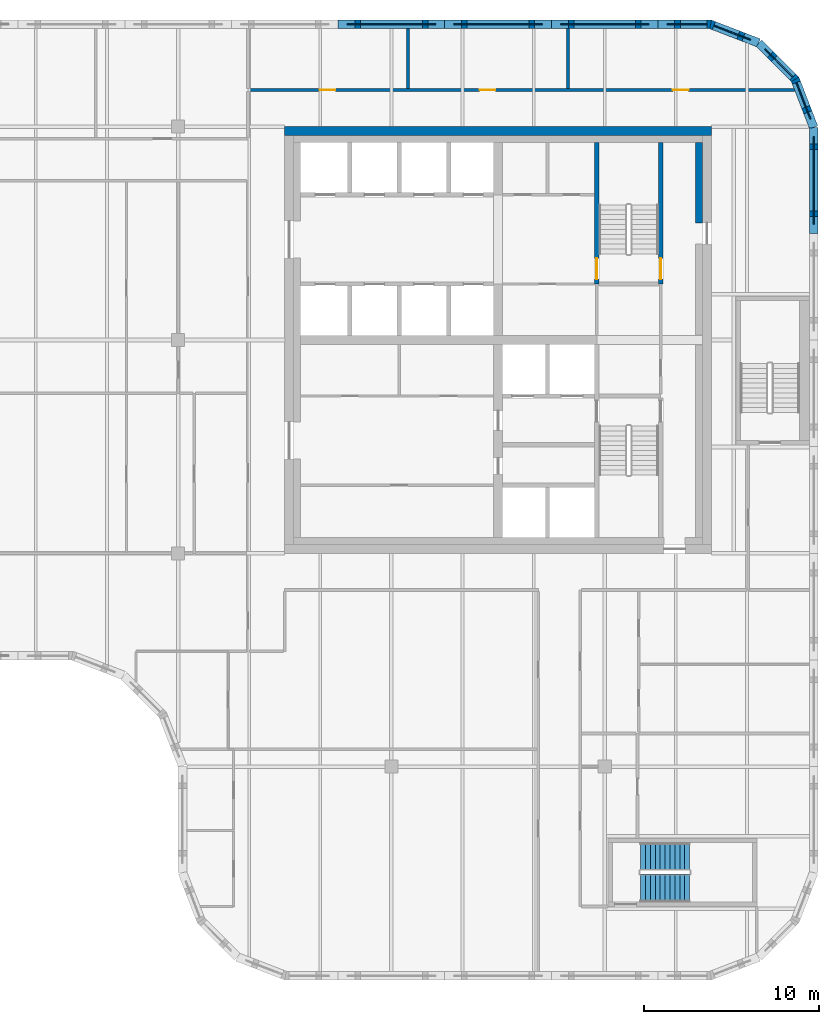
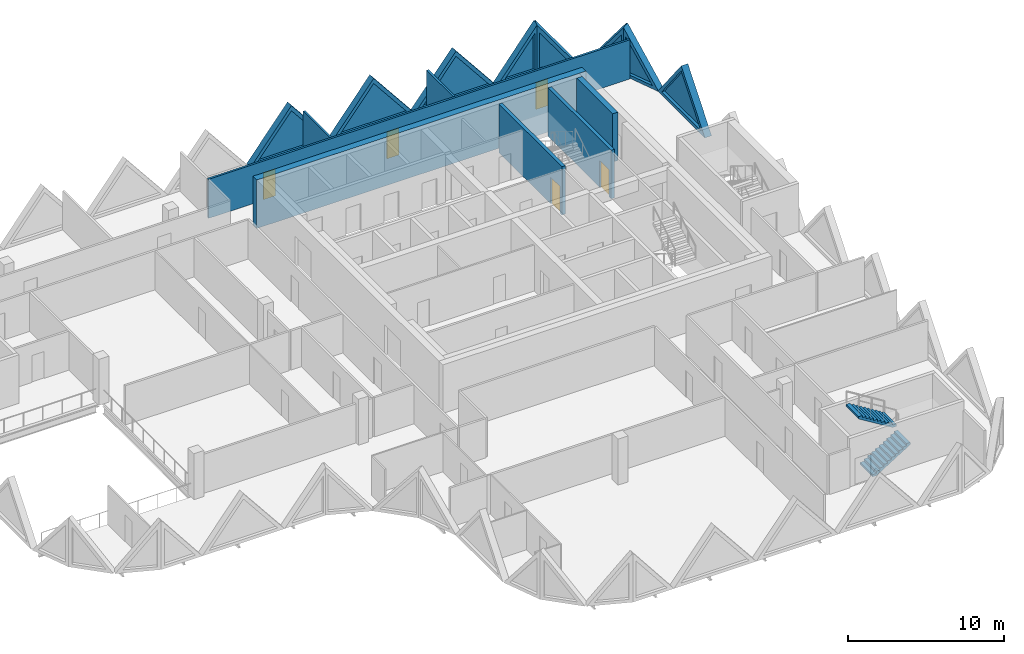
# One storey, part 9 of 11: 15 walls, 8 plates, 5 doors, 2 stair flights, 13 openings, 1 element without a shape of its own.
"""IFC4 building model written with IfcOpenShell, lengths in metres."""

from ifc_helpers import new_model, si_unit, direction, frame, frame_2d, origin, place, context, subcontext, project, spatial, polyline, rectangle, outline, extrude, faceted_brep, source, transform, mapped, material, layer, layer_set, type_object, element, fill, aggregate, save


model = new_model("IFC4")

# Units and contexts
model_context = context("Model", 3, precision=1e-05, world=origin(), true_north=direction((0.0, 1.0)))
body_context = subcontext(model_context, "Body", "Model", "MODEL_VIEW")
ifc_project = project(units=[si_unit("LENGTHUNIT", "METRE"), si_unit("AREAUNIT", "SQUARE_METRE"), si_unit("VOLUMEUNIT", "CUBIC_METRE"), si_unit("PLANEANGLEUNIT", "RADIAN"), si_unit("MASSUNIT", "GRAM", prefix="KILO")], contexts=[model_context])

# Site, building, storey
site_placement = place(None, origin())
site = spatial("IfcSite", under=ifc_project, at=site_placement, CompositionType="ELEMENT")
building_placement = place(site_placement, origin())
building = spatial("IfcBuilding", under=site, at=building_placement, Name="Tessera Gate Towers", CompositionType="ELEMENT")
storey_placement = place(building_placement, frame((0.0, 0.0, 197.89990234375)))
storey = spatial("IfcBuildingStorey", under=building, at=storey_placement, Name="L49", CompositionType="ELEMENT", Elevation=197.89990234375)

# Wall, opening, door
ifc_material_1 = material(Name="Concrete C40/50", Category="concrete")
ifc_layer_1 = layer(ifc_material_1, 0.25)
ifc_layer_set_1 = layer_set([ifc_layer_1], Name="CORE ENCLOSURE WALL 250")
wall_type_1 = type_object("IfcWallType", Name="CORE ENCLOSURE WALL 250", PredefinedType="SOLIDWALL", material=ifc_layer_set_1)
wall_1_placement = place(storey_placement, frame((48.35009765625, 47.89990234375, 0.0), z_axis=(0.0, 0.0, 1.0), x_axis=(0.0, -1.0, 0.0)))
wall_1 = element("IfcWall", 1, at=wall_1_placement, inside=storey, type_object=wall_type_1, Name="L49 shaft and stair enclosure wall", PredefinedType="SOLIDWALL", context=body_context, shape_type="SweptSolid", body=[
    extrude(rectangle(XDim=8.099853515625, YDim=0.25, at=frame_2d((4.0498046875, 0.0))), origin(), (0.0, 0.0, 1.0), 3.800048828125),
])
shared_shape_1 = source(origin(), body_context, "Body", "SweptSolid", [
    extrude(rectangle(XDim=1.199951171875, YDim=2.10009765625, at=frame_2d((0.60009765625, 1.050048828125))), frame((0.0, 0.135009765625, 0.0), z_axis=(0.0, -1.0, 0.0), x_axis=(1.0, 0.0, 0.0)), (0.0, 0.0, 1.0), 0.27001953125),
])
opening_1_placement = place(wall_1_placement, frame((6.625, 0.0, 0.0)))
opening_1 = element("IfcOpeningElement", 2, at=opening_1_placement, cuts=wall_1, Name="Opening SD-ST2-1", PredefinedType="OPENING", context=body_context, shape_type="MappedRepresentation", body=[
    mapped(shared_shape_1, transform((0.0, 0.0, 0.0), scale=1.0)),
])
ifc_material_2 = material(Name="Hollow steel fire door", Category="steel")
door_type_1 = type_object("IfcDoorType", Name="CORE DOOR SD 1200x2100", OperationType="NOTDEFINED", PredefinedType="DOOR", material=ifc_material_2)
shared_shape_2 = source(origin(), body_context, "Body", "SweptSolid", [
    extrude(rectangle(XDim=1.199951171875, YDim=2.10009765625, at=frame_2d((0.60009765625, 1.050048828125))), frame((0.0, 0.02490234375, 0.0), z_axis=(0.0, -1.0, 0.0), x_axis=(1.0, 0.0, 0.0)), (0.0, 0.0, 1.0), 0.050048828125),
])
door_1_placement = place(opening_1_placement, origin())
door_1 = element("IfcDoor", 3, at=door_1_placement, inside=storey, type_object=door_type_1, Name="Stair door", OperationType="SINGLE_SWING_RIGHT", OverallHeight=2.10009765625, OverallWidth=1.199951171875, PredefinedType="DOOR", context=body_context, shape_type="MappedRepresentation", body=[
    mapped(shared_shape_2, transform((0.0, 0.0, 0.0), scale=1.0)),
])
fill(opening_1, door_1)

wall_2_placement = place(storey_placement, frame((52.0, 39.800048828125, 0.0), z_axis=(0.0, 0.0, 1.0), x_axis=(0.0, 1.0, 0.0)))
wall_2 = element("IfcWall", 4, at=wall_2_placement, inside=storey, type_object=wall_type_1, Name="L49 shaft and stair enclosure wall", PredefinedType="SOLIDWALL", context=body_context, shape_type="SweptSolid", body=[
    extrude(rectangle(XDim=8.099853515625, YDim=0.25, at=frame_2d((4.0498046875, 0.0))), origin(), (0.0, 0.0, 1.0), 3.800048828125),
])
opening_2_placement = place(wall_2_placement, frame((0.27490234375, 0.0, 0.0)))
opening_2 = element("IfcOpeningElement", 5, at=opening_2_placement, cuts=wall_2, Name="Opening SD-ST2-2", PredefinedType="OPENING", context=body_context, shape_type="MappedRepresentation", body=[
    mapped(shared_shape_1, transform((0.0, 0.0, 0.0), scale=1.0)),
])
door_2_placement = place(opening_2_placement, origin())
door_2 = element("IfcDoor", 6, at=door_2_placement, inside=storey, type_object=door_type_1, Name="Stair door", OperationType="SINGLE_SWING_LEFT", OverallHeight=2.10009765625, OverallWidth=1.199951171875, PredefinedType="DOOR", context=body_context, shape_type="MappedRepresentation", body=[
    mapped(shared_shape_2, transform((0.0, 0.0, 0.0), scale=1.0)),
])
fill(opening_2, door_2)

# Walls
ifc_material_3 = material(Name="Concrete C50/60", Category="concrete")
ifc_layer_2 = layer(ifc_material_3, 0.5)
ifc_layer_set_2 = layer_set([ifc_layer_2], Name="CORE SHEAR WALL 500 C50/60")
wall_type_2 = type_object("IfcWallType", Name="CORE SHEAR WALL 500 C50/60", PredefinedType="SHEAR", material=ifc_layer_set_2)
wall_3_placement = place(storey_placement, frame((30.5, 48.550048828125, 0.0), z_axis=(0.0, 0.0, 1.0), x_axis=(1.0, 0.0, 0.0)))
element("IfcWall", 7, at=wall_3_placement, inside=storey, type_object=wall_type_2, Name="Core wall N L49", PredefinedType="SHEAR", context=body_context, shape_type="SweptSolid", body=[
    extrude(rectangle(XDim=24.39990234375, YDim=0.5, at=frame_2d((12.199951171875, 0.0))), origin(), (0.0, 0.0, 1.0), 3.800048828125),
])
ifc_material_4 = material(Name="Concrete C50/60", Category="concrete")
ifc_layer_3 = layer(ifc_material_4, 0.39990234375)
ifc_layer_set_3 = layer_set([ifc_layer_3], Name="CORE WALL THICKENING 400")
wall_type_3 = type_object("IfcWallType", Name="CORE WALL THICKENING 400", PredefinedType="SOLIDWALL", material=ifc_layer_set_3)
wall_4_placement = place(storey_placement, frame((54.199951171875, 43.300048828125, 0.0), z_axis=(0.0, 0.0, 1.0), x_axis=(0.0, 1.0, 0.0)))
element("IfcWall", 8, at=wall_4_placement, inside=storey, type_object=wall_type_3, Name="Core wall thickening E L49", PredefinedType="SOLIDWALL", context=body_context, shape_type="SweptSolid", body=[
    extrude(rectangle(XDim=4.599853515625, YDim=0.39990234375, at=frame_2d((2.2998046875, 0.0))), origin(), (0.0, 0.0, 1.0), 3.800048828125),
])

# Wall, openings, doors
ifc_material_5 = material(Name="Gypsum board on steel studs, mineral wool", Category="steel")
ifc_layer_4 = layer(ifc_material_5, 0.14990234375)
ifc_layer_set_4 = layer_set([ifc_layer_4], Name="CORRIDOR WALL 150")
wall_type_4 = type_object("IfcWallType", Name="CORRIDOR WALL 150", PredefinedType="PARTITIONING", material=ifc_layer_set_4)
wall_5_placement = place(storey_placement, frame((28.39990234375, 50.89990234375, 0.0), z_axis=(0.0, 0.0, 1.0), x_axis=(1.0, 0.0, 0.0)))
wall_5 = element("IfcWall", 9, at=wall_5_placement, inside=storey, type_object=wall_type_4, Name="T1-L49-PW-047", PredefinedType="PARTITIONING", context=body_context, shape_type="SweptSolid", body=[
    extrude(rectangle(XDim=31.254150390625, YDim=0.14990234375, at=frame_2d((15.626953125, 0.0))), origin(), (0.0, 0.0, 1.0), 3.067138671875),
])
shared_shape_3 = source(origin(), body_context, "Body", "SweptSolid", [
    extrude(rectangle(XDim=0.89990234375, YDim=2.10009765625, at=frame_2d((0.449951171875, 1.050048828125))), frame((0.0, 0.0849609375, 0.0), z_axis=(0.0, -1.0, 0.0), x_axis=(1.0, 0.0, 0.0)), (0.0, 0.0, 1.0), 0.169921875),
])
opening_3_placement = place(wall_5_placement, frame((4.10009765625, 0.0, 0.0)))
opening_3 = element("IfcOpeningElement", 10, at=opening_3_placement, cuts=wall_5, Name="Opening D890FD60-A18-05", PredefinedType="OPENING", context=body_context, shape_type="MappedRepresentation", body=[
    mapped(shared_shape_3, transform((0.0, 0.0, 0.0), scale=1.0)),
])
opening_4_placement = place(wall_5_placement, frame((13.25, 0.0, 0.0)))
opening_4 = element("IfcOpeningElement", 11, at=opening_4_placement, cuts=wall_5, Name="Opening D890FD60-A18-06", PredefinedType="OPENING", context=body_context, shape_type="MappedRepresentation", body=[
    mapped(shared_shape_3, transform((0.0, 0.0, 0.0), scale=1.0)),
])
opening_5_placement = place(wall_5_placement, frame((24.300048828125, 0.0, 0.0)))
opening_5 = element("IfcOpeningElement", 12, at=opening_5_placement, cuts=wall_5, Name="Opening D890FD60-A18-07", PredefinedType="OPENING", context=body_context, shape_type="MappedRepresentation", body=[
    mapped(shared_shape_3, transform((0.0, 0.0, 0.0), scale=1.0)),
])
ifc_material_6 = material(Name="Timber door leaf in steel frame", Category="steel")
door_type_2 = type_object("IfcDoorType", Name="CORRIDOR DOOR 900 FD60", OperationType="NOTDEFINED", PredefinedType="DOOR", material=ifc_material_6)
shared_shape_4 = source(origin(), body_context, "Body", "SweptSolid", [
    extrude(rectangle(XDim=0.89990234375, YDim=2.10009765625, at=frame_2d((0.449951171875, 1.050048828125))), frame((0.0, 0.02490234375, 0.0), z_axis=(0.0, -1.0, 0.0), x_axis=(1.0, 0.0, 0.0)), (0.0, 0.0, 1.0), 0.050048828125),
])
door_3_placement = place(opening_3_placement, origin())
door_3 = element("IfcDoor", 13, at=door_3_placement, inside=storey, type_object=door_type_2, Name="T1-L49-PD-017", OperationType="SINGLE_SWING_LEFT", OverallHeight=2.10009765625, OverallWidth=0.89990234375, PredefinedType="DOOR", context=body_context, shape_type="MappedRepresentation", body=[
    mapped(shared_shape_4, transform((0.0, 0.0, 0.0), scale=1.0)),
])
fill(opening_3, door_3)
door_4_placement = place(opening_4_placement, origin())
door_4 = element("IfcDoor", 14, at=door_4_placement, inside=storey, type_object=door_type_2, Name="T1-L49-PD-019", OperationType="SINGLE_SWING_LEFT", OverallHeight=2.10009765625, OverallWidth=0.89990234375, PredefinedType="DOOR", context=body_context, shape_type="MappedRepresentation", body=[
    mapped(shared_shape_4, transform((0.0, 0.0, 0.0), scale=1.0)),
])
fill(opening_4, door_4)
door_5_placement = place(opening_5_placement, origin())
door_5 = element("IfcDoor", 15, at=door_5_placement, inside=storey, type_object=door_type_2, Name="T1-L49-PD-026", OperationType="SINGLE_SWING_LEFT", OverallHeight=2.10009765625, OverallWidth=0.89990234375, PredefinedType="DOOR", context=body_context, shape_type="MappedRepresentation", body=[
    mapped(shared_shape_4, transform((0.0, 0.0, 0.0), scale=1.0)),
])
fill(opening_5, door_5)

# Walls
ifc_material_7 = material(Name="Gypsum board on steel studs, mineral wool", Category="steel")
ifc_layer_5 = layer(ifc_material_7, 0.14990234375)
ifc_layer_set_5 = layer_set([ifc_layer_5], Name="TENANCY WALL 150")
wall_type_5 = type_object("IfcWallType", Name="TENANCY WALL 150", PredefinedType="PARTITIONING", material=ifc_layer_set_5)
for number, where, z_axis, x_axis, name in (
    (16, (37.550048828125, 50.97607421875, 0.0), (0.0, 0.0, 1.0), (0.0, 1.0, 0.0), "T1-L49-PW-049"),
    (17, (46.699951171875, 50.97607421875, 0.0), (0.0, 0.0, 1.0), (0.0, 1.0, 0.0), "T1-L49-PW-050"),
):
    element("IfcWall", number, at=place(storey_placement, frame(where, z_axis=z_axis, x_axis=x_axis)), inside=storey, type_object=wall_type_5, Name=name, PredefinedType="PARTITIONING", context=body_context, shape_type="SweptSolid", body=[
        extrude(rectangle(XDim=3.423828125, YDim=0.14990234375, at=frame_2d((1.7119140625, 0.0))), origin(), (0.0, 0.0, 1.0), 3.067138671875),
    ])

# Wall, opening, plate
ifc_material_8 = material(Name="Precast concrete C60/75 white", Category="concrete")
ifc_layer_6 = layer(ifc_material_8, 0.5)
ifc_layer_set_6 = layer_set([ifc_layer_6], Name="TS3 corner tessera")
wall_type_6 = type_object("IfcWallType", Name="TS3 corner tessera", PredefinedType="SOLIDWALL", material=ifc_layer_set_6)
shared_shape_5 = source(origin(), body_context, "Body", "Brep", [
    faceted_brep([(3.050048828125, -0.25, 0.0), (0.046630859375, -0.25, 3.800048828125), (0.0, -0.25, 3.739990234375), (0.0, -0.25, 0.0), (0.09326171875, 0.25, 3.7412109375), (3.050048828125, 0.25, 0.0), (0.09326171875, 0.25, 0.0), (0.046630859375, 0.0, 3.800048828125)], [[[0, 1, 2, 3]], [[4, 5, 6]], [[5, 4, 7, 1, 0]], [[2, 1, 7]], [[6, 5, 0, 3]], [[6, 3, 2, 7, 4]]]),
])
wall_6_placement = place(storey_placement, frame((54.900146484375, 54.64990234375, 0.0), z_axis=(0.0, 0.0, 1.0), x_axis=(-1.0, 0.0, 0.0)))
wall_6 = element("IfcWall", 18, at=wall_6_placement, inside=storey, type_object=wall_type_6, Name="Precast corner tessera T1 TS3-1138", PredefinedType="SOLIDWALL", context=body_context, shape_type="MappedRepresentation", body=[
    mapped(shared_shape_5, transform((0.0, 0.0, 0.0), scale=1.0)),
])
shared_shape_6 = source(origin(), body_context, "Body", "SweptSolid", [
    extrude(outline(polyline([(2.533935546875, 0.25), (0.24658203125, 3.143798828125), (0.24658203125, 0.25), (2.533935546875, 0.25)])), frame((0.0, 0.260009765625, 0.0), z_axis=(0.0, -1.0, 0.0), x_axis=(1.0, 0.0, 0.0)), (0.0, 0.0, 1.0), 0.52001953125),
])
opening_6_placement = place(wall_6_placement, origin())
opening_6 = element("IfcOpeningElement", 19, at=opening_6_placement, cuts=wall_6, Name="Opening T1-PL1-0489", PredefinedType="OPENING", context=body_context, shape_type="MappedRepresentation", body=[
    mapped(shared_shape_6, transform((0.0, 0.0, 0.0), scale=1.0)),
])
ifc_material_9 = material(Name="Low-e laminated glass", Category="glass")
ifc_layer_7 = layer(ifc_material_9, 0.06005859375)
ifc_layer_set_7 = layer_set([ifc_layer_7], Name="PL1 triangular pane")
plate_type = type_object("IfcPlateType", Name="PL1 triangular pane", PredefinedType="SHEET", material=ifc_layer_set_7)
shared_shape_7 = source(origin(), body_context, "Body", "SweptSolid", [
    extrude(outline(polyline([(2.533935546875, 0.25), (0.24658203125, 3.143798828125), (0.24658203125, 0.25), (2.533935546875, 0.25)])), frame((0.0, 0.030029296875, 0.0), z_axis=(0.0, -1.0, 0.0), x_axis=(1.0, 0.0, 0.0)), (0.0, 0.0, 1.0), 0.06005859375),
])
plate_1_placement = place(opening_6_placement, origin())
plate_1 = element("IfcPlate", 20, at=plate_1_placement, inside=storey, type_object=plate_type, Name="Glass pane T1 PL1-0489", PredefinedType="SHEET", context=body_context, shape_type="MappedRepresentation", body=[
    mapped(shared_shape_7, transform((0.0, 0.0, 0.0), scale=1.0)),
])
fill(opening_6, plate_1)

ifc_material_10 = material(Name="Precast concrete C60/75 white", Category="concrete")
ifc_layer_8 = layer(ifc_material_10, 0.5)
ifc_layer_set_8 = layer_set([ifc_layer_8], Name="TS2 half tessera")
wall_type_7 = type_object("IfcWallType", Name="TS2 half tessera", PredefinedType="SOLIDWALL", material=ifc_layer_set_8)
shared_shape_8 = source(origin(), body_context, "Body", "Brep", [
    faceted_brep([(6.099853515625, -0.25, 0.000244140625), (3.050048828125, -0.25, 3.800048828125), (0.0, -0.25, 0.0), (6.099853515625, -0.25, 0.0), (0.0, 0.25, 0.0), (3.050048828125, 0.25, 3.800048828125), (6.099853515625, 0.25, 0.000244140625), (6.099853515625, 0.25, 0.0)], [[[0, 1, 2, 3]], [[4, 5, 6, 7]], [[6, 5, 1, 0]], [[5, 4, 2, 1]], [[4, 7, 3, 2]], [[3, 7, 6, 0]]]),
])
wall_7_placement = place(storey_placement, frame((39.64990234375, 54.64990234375, 0.0), z_axis=(0.0, 0.0, 1.0), x_axis=(-1.0, 0.0, 0.0)))
wall_7 = element("IfcWall", 21, at=wall_7_placement, inside=storey, type_object=wall_type_7, Name="Precast half tessera T1 TS2-0242", PredefinedType="SOLIDWALL", context=body_context, shape_type="MappedRepresentation", body=[
    mapped(shared_shape_8, transform((0.0, 0.0, 0.0), scale=1.0)),
])
shared_shape_9 = source(origin(), body_context, "Body", "SweptSolid", [
    extrude(outline(polyline([(5.578857421875, 0.25), (3.050048828125, 3.400634765625), (0.521240234375, 0.25), (5.578857421875, 0.25)])), frame((0.0, 0.260009765625, 0.0), z_axis=(0.0, -1.0, 0.0), x_axis=(1.0, 0.0, 0.0)), (0.0, 0.0, 1.0), 0.52001953125),
])
opening_7_placement = place(wall_7_placement, origin())
opening_7 = element("IfcOpeningElement", 22, at=opening_7_placement, cuts=wall_7, Name="Opening T1-PL1-0492", PredefinedType="OPENING", context=body_context, shape_type="MappedRepresentation", body=[
    mapped(shared_shape_9, transform((0.0, 0.0, 0.0), scale=1.0)),
])
shared_shape_10 = source(origin(), body_context, "Body", "SweptSolid", [
    extrude(outline(polyline([(5.578857421875, 0.25), (3.050048828125, 3.400634765625), (0.521240234375, 0.25), (5.578857421875, 0.25)])), frame((0.0, 0.030029296875, 0.0), z_axis=(0.0, -1.0, 0.0), x_axis=(1.0, 0.0, 0.0)), (0.0, 0.0, 1.0), 0.06005859375),
])
plate_2_placement = place(opening_7_placement, origin())
plate_2 = element("IfcPlate", 23, at=plate_2_placement, inside=storey, type_object=plate_type, Name="Glass pane T1 PL1-0492", PredefinedType="SHEET", context=body_context, shape_type="MappedRepresentation", body=[
    mapped(shared_shape_10, transform((0.0, 0.0, 0.0), scale=1.0)),
])
fill(opening_7, plate_2)

shared_shape_11 = source(origin(), body_context, "Body", "SweptSolid", [
    extrude(outline(polyline([(6.10009765625, 0.0), (3.050048828125, 3.800048828125), (0.0, 0.0), (6.10009765625, 0.0)])), frame((0.0, 0.25, 0.0), z_axis=(0.0, -1.0, 0.0), x_axis=(1.0, 0.0, 0.0)), (0.0, 0.0, 1.0), 0.5),
])
wall_8_placement = place(storey_placement, frame((51.85009765625, 54.64990234375, 0.0), z_axis=(0.0, 0.0, 1.0), x_axis=(-1.0, 0.0, 0.0)))
wall_8 = element("IfcWall", 24, at=wall_8_placement, inside=storey, type_object=wall_type_7, Name="Precast half tessera T1 TS2-0240", PredefinedType="SOLIDWALL", context=body_context, shape_type="MappedRepresentation", body=[
    mapped(shared_shape_11, transform((0.0, 0.0, 0.0), scale=1.0)),
])
opening_8_placement = place(wall_8_placement, origin())
opening_8 = element("IfcOpeningElement", 25, at=opening_8_placement, cuts=wall_8, Name="Opening T1-PL1-0490", PredefinedType="OPENING", context=body_context, shape_type="MappedRepresentation", body=[
    mapped(shared_shape_9, transform((0.0, 0.0, 0.0), scale=1.0)),
])
plate_3_placement = place(opening_8_placement, origin())
plate_3 = element("IfcPlate", 26, at=plate_3_placement, inside=storey, type_object=plate_type, Name="Glass pane T1 PL1-0490", PredefinedType="SHEET", context=body_context, shape_type="MappedRepresentation", body=[
    mapped(shared_shape_10, transform((0.0, 0.0, 0.0), scale=1.0)),
])
fill(opening_8, plate_3)

wall_9_placement = place(storey_placement, frame((45.75, 54.64990234375, 0.0), z_axis=(0.0, 0.0, 1.0), x_axis=(-1.0, 0.0, 0.0)))
wall_9 = element("IfcWall", 27, at=wall_9_placement, inside=storey, type_object=wall_type_7, Name="Precast half tessera T1 TS2-0241", PredefinedType="SOLIDWALL", context=body_context, shape_type="MappedRepresentation", body=[
    mapped(shared_shape_11, transform((0.0, 0.0, 0.0), scale=1.0)),
])
opening_9_placement = place(wall_9_placement, origin())
opening_9 = element("IfcOpeningElement", 28, at=opening_9_placement, cuts=wall_9, Name="Opening T1-PL1-0491", PredefinedType="OPENING", context=body_context, shape_type="MappedRepresentation", body=[
    mapped(shared_shape_9, transform((0.0, 0.0, 0.0), scale=1.0)),
])
plate_4_placement = place(opening_9_placement, origin())
plate_4 = element("IfcPlate", 29, at=plate_4_placement, inside=storey, type_object=plate_type, Name="Glass pane T1 PL1-0491", PredefinedType="SHEET", context=body_context, shape_type="MappedRepresentation", body=[
    mapped(shared_shape_10, transform((0.0, 0.0, 0.0), scale=1.0)),
])
fill(opening_9, plate_4)

shared_shape_12 = source(origin(), body_context, "Body", "Brep", [
    faceted_brep([(6.053466796875, -0.25, 0.0), (3.050048828125, -0.25, 3.800048828125), (0.0, -0.25, 0.0), (0.0, 0.25, 0.0), (3.050048828125, 0.25, 3.800048828125), (6.0068359375, 0.25, 0.058837890625), (6.0068359375, 0.25, 0.0), (6.053466796875, 0.0, 0.0)], [[[0, 1, 2]], [[3, 4, 5, 6]], [[5, 4, 1, 0, 7]], [[4, 3, 2, 1]], [[3, 6, 7, 0, 2]], [[7, 6, 5]]]),
])
wall_10_placement = place(storey_placement, frame((60.75, 42.699951171875, 0.0), z_axis=(0.0, 0.0, 1.0), x_axis=(0.0, 1.0, 0.0)))
wall_10 = element("IfcWall", 30, at=wall_10_placement, inside=storey, type_object=wall_type_7, Name="Precast half tessera T1 TS2-0239", PredefinedType="SOLIDWALL", context=body_context, shape_type="MappedRepresentation", body=[
    mapped(shared_shape_12, transform((0.0, 0.0, 0.0), scale=1.0)),
])
shared_shape_13 = source(origin(), body_context, "Body", "SweptSolid", [
    extrude(outline(polyline([(5.537109375, 0.25), (3.048583984375, 3.39892578125), (0.521240234375, 0.25), (5.537109375, 0.25)])), frame((0.0, 0.260009765625, 0.0), z_axis=(0.0, -1.0, 0.0), x_axis=(1.0, 0.0, 0.0)), (0.0, 0.0, 1.0), 0.52001953125),
])
opening_10_placement = place(wall_10_placement, origin())
opening_10 = element("IfcOpeningElement", 31, at=opening_10_placement, cuts=wall_10, Name="Opening T1-PL1-0485", PredefinedType="OPENING", context=body_context, shape_type="MappedRepresentation", body=[
    mapped(shared_shape_13, transform((0.0, 0.0, 0.0), scale=1.0)),
])
shared_shape_14 = source(origin(), body_context, "Body", "SweptSolid", [
    extrude(outline(polyline([(5.537109375, 0.25), (3.048583984375, 3.39892578125), (0.521240234375, 0.25), (5.537109375, 0.25)])), frame((0.0, 0.030029296875, 0.0), z_axis=(0.0, -1.0, 0.0), x_axis=(1.0, 0.0, 0.0)), (0.0, 0.0, 1.0), 0.06005859375),
])
plate_5_placement = place(opening_10_placement, origin())
plate_5 = element("IfcPlate", 32, at=plate_5_placement, inside=storey, type_object=plate_type, Name="Glass pane T1 PL1-0485", PredefinedType="SHEET", context=body_context, shape_type="MappedRepresentation", body=[
    mapped(shared_shape_14, transform((0.0, 0.0, 0.0), scale=1.0)),
])
fill(opening_10, plate_5)

shared_shape_15 = source(origin(), body_context, "Body", "Brep", [
    faceted_brep([(3.00341796875, -0.25, 3.731689453125), (2.950439453125, -0.25, 3.800048828125), (0.0, -0.25, 0.0), (3.00341796875, -0.25, 0.0), (0.046630859375, 0.25, 0.06005859375), (2.897705078125, 0.25, 3.73193359375), (2.897705078125, 0.25, 0.0), (0.046630859375, 0.25, 0.0), (2.950439453125, 0.00048828125, 3.800048828125), (0.0, 0.0, 0.0)], [[[0, 1, 2, 3]], [[4, 5, 6, 7]], [[8, 1, 0]], [[5, 4, 9, 2, 1, 8]], [[7, 6, 3, 2, 9]], [[7, 9, 4]], [[3, 6, 5, 8, 0]]]),
])
wall_11_placement = place(storey_placement, frame((60.75, 48.75341796875, 0.0), z_axis=(0.0, 0.0, 1.0), x_axis=(-0.35992665181, 0.932980602862, 0.0)))
wall_11 = element("IfcWall", 33, at=wall_11_placement, inside=storey, type_object=wall_type_6, Name="Precast corner tessera T1 TS3-1135", PredefinedType="SOLIDWALL", context=body_context, shape_type="MappedRepresentation", body=[
    mapped(shared_shape_15, transform((0.0, 0.0, 0.0), scale=1.0)),
])
shared_shape_16 = source(origin(), body_context, "Body", "SweptSolid", [
    extrude(outline(polyline([(2.75048828125, 3.134765625), (0.5107421875, 0.25), (2.75048828125, 0.25), (2.75048828125, 3.134765625)])), frame((0.0, 0.260009765625, 0.0), z_axis=(0.0, -1.0, 0.0), x_axis=(1.0, 0.0, 0.0)), (0.0, 0.0, 1.0), 0.52001953125),
])
opening_11_placement = place(wall_11_placement, origin())
opening_11 = element("IfcOpeningElement", 34, at=opening_11_placement, cuts=wall_11, Name="Opening T1-PL1-0486", PredefinedType="OPENING", context=body_context, shape_type="MappedRepresentation", body=[
    mapped(shared_shape_16, transform((0.0, 0.0, 0.0), scale=1.0)),
])
shared_shape_17 = source(origin(), body_context, "Body", "SweptSolid", [
    extrude(outline(polyline([(2.75048828125, 3.134765625), (0.5107421875, 0.25), (2.75048828125, 0.25), (2.75048828125, 3.134765625)])), frame((0.0, 0.030029296875, 0.0), z_axis=(0.0, -1.0, 0.0), x_axis=(1.0, 0.0, 0.0)), (0.0, 0.0, 1.0), 0.06005859375),
])
plate_6_placement = place(opening_11_placement, origin())
plate_6 = element("IfcPlate", 35, at=plate_6_placement, inside=storey, type_object=plate_type, Name="Glass pane T1 PL1-0486", PredefinedType="SHEET", context=body_context, shape_type="MappedRepresentation", body=[
    mapped(shared_shape_17, transform((0.0, 0.0, 0.0), scale=1.0)),
])
fill(opening_11, plate_6)

shared_shape_18 = source(origin(), body_context, "Body", "Brep", [
    faceted_brep([(2.9970703125, -0.25, 0.0), (0.052978515625, -0.25, 3.800048828125), (0.0, -0.25, 3.73193359375), (0.0, -0.25, 0.0), (0.10595703125, 0.25, 3.731689453125), (2.944091796875, 0.25, 0.068115234375), (2.944091796875, 0.25, 0.0), (0.10595703125, 0.25, 0.0), (0.052978515625, 0.0, 3.800048828125), (2.9970703125, 0.000244140625, 0.0)], [[[0, 1, 2, 3]], [[4, 5, 6, 7]], [[5, 4, 8, 1, 0, 9]], [[2, 1, 8]], [[7, 6, 9, 0, 3]], [[7, 3, 2, 8, 4]], [[9, 6, 5]]]),
])
wall_12_placement = place(storey_placement, frame((59.7255859375, 51.46875, 0.0), z_axis=(0.0, 0.0, 1.0), x_axis=(-0.707106781187, 0.707106781187, 0.0)))
wall_12 = element("IfcWall", 36, at=wall_12_placement, inside=storey, type_object=wall_type_6, Name="Precast corner tessera T1 TS3-1136", PredefinedType="SOLIDWALL", context=body_context, shape_type="MappedRepresentation", body=[
    mapped(shared_shape_18, transform((0.0, 0.0, 0.0), scale=1.0)),
])
shared_shape_19 = source(origin(), body_context, "Body", "SweptSolid", [
    extrude(outline(polyline([(2.487060546875, 0.25), (0.2529296875, 3.1337890625), (0.2529296875, 0.25), (2.487060546875, 0.25)])), frame((0.0, 0.260009765625, 0.0), z_axis=(0.0, -1.0, 0.0), x_axis=(1.0, 0.0, 0.0)), (0.0, 0.0, 1.0), 0.52001953125),
])
opening_12_placement = place(wall_12_placement, origin())
opening_12 = element("IfcOpeningElement", 37, at=opening_12_placement, cuts=wall_12, Name="Opening T1-PL1-0487", PredefinedType="OPENING", context=body_context, shape_type="MappedRepresentation", body=[
    mapped(shared_shape_19, transform((0.0, 0.0, 0.0), scale=1.0)),
])
shared_shape_20 = source(origin(), body_context, "Body", "SweptSolid", [
    extrude(outline(polyline([(2.487060546875, 0.25), (0.2529296875, 3.1337890625), (0.2529296875, 0.25), (2.487060546875, 0.25)])), frame((0.0, 0.030029296875, 0.0), z_axis=(0.0, -1.0, 0.0), x_axis=(1.0, 0.0, 0.0)), (0.0, 0.0, 1.0), 0.06005859375),
])
plate_7_placement = place(opening_12_placement, origin())
plate_7 = element("IfcPlate", 38, at=plate_7_placement, inside=storey, type_object=plate_type, Name="Glass pane T1 PL1-0487", PredefinedType="SHEET", context=body_context, shape_type="MappedRepresentation", body=[
    mapped(shared_shape_20, transform((0.0, 0.0, 0.0), scale=1.0)),
])
fill(opening_12, plate_7)

shared_shape_21 = source(origin(), body_context, "Body", "Brep", [
    faceted_brep([(2.9970703125, -0.25, 3.740966796875), (2.950439453125, -0.25, 3.800048828125), (0.0, -0.25, 0.0), (2.9970703125, -0.25, 0.0), (0.052978515625, 0.25, 0.068115234375), (2.904052734375, 0.25, 3.740234375), (2.904052734375, 0.25, 0.0), (0.052978515625, 0.25, 0.0), (2.950439453125, 0.00048828125, 3.800048828125), (0.0, 0.0, 0.0)], [[[0, 1, 2, 3]], [[4, 5, 6, 7]], [[8, 1, 0]], [[5, 4, 9, 2, 1, 8]], [[7, 6, 3, 2, 9]], [[7, 9, 4]], [[3, 6, 5, 8, 0]]]),
])
wall_13_placement = place(storey_placement, frame((57.606201171875, 53.588134765625, 0.0), z_axis=(0.0, 0.0, 1.0), x_axis=(-0.932990326376, 0.359901446078, 0.0)))
wall_13 = element("IfcWall", 39, at=wall_13_placement, inside=storey, type_object=wall_type_6, Name="Precast corner tessera T1 TS3-1137", PredefinedType="SOLIDWALL", context=body_context, shape_type="MappedRepresentation", body=[
    mapped(shared_shape_21, transform((0.0, 0.0, 0.0), scale=1.0)),
])
opening_13_placement = place(wall_13_placement, origin())
opening_13 = element("IfcOpeningElement", 40, at=opening_13_placement, cuts=wall_13, Name="Opening T1-PL1-0488", PredefinedType="OPENING", context=body_context, shape_type="MappedRepresentation", body=[
    mapped(shared_shape_16, transform((0.0, 0.0, 0.0), scale=1.0)),
])
plate_8_placement = place(opening_13_placement, origin())
plate_8 = element("IfcPlate", 41, at=plate_8_placement, inside=storey, type_object=plate_type, Name="Glass pane T1 PL1-0488", PredefinedType="SHEET", context=body_context, shape_type="MappedRepresentation", body=[
    mapped(shared_shape_17, transform((0.0, 0.0, 0.0), scale=1.0)),
])
fill(opening_13, plate_8)

# Stair, stair flights
ifc_material_11 = material(Name="Concrete C40/50", Category="concrete")
stair_type = type_object("IfcStairType", Name="EXIT STAIR ST4 1600", PredefinedType="HALF_TURN_STAIR", material=ifc_material_11)
stair_placement = place(storey_placement, origin())
stair = element("IfcStair", 42, at=stair_placement, inside=storey, type_object=stair_type, Name="L49 South Exit Stair ST4", PredefinedType="HALF_TURN_STAIR")
ifc_material_12 = material(Name="Concrete C40/50", Category="concrete")
stair_flight_type = type_object("IfcStairFlightType", Name="EXIT STAIR FLIGHT ST4 1600", PredefinedType="STRAIGHT", material=ifc_material_12)
stair_flight_1_placement = place(storey_placement, frame((50.85009765625, 5.25, 0.0), z_axis=(0.0, 0.0, 1.0), x_axis=(1.0, 0.0, 0.0)))
stair_flight_1 = element("IfcStairFlight", 43, at=stair_flight_1_placement, type_object=stair_flight_type, Name="ST4 flight 1", NumberOfRisers=11, NumberOfTreads=10, PredefinedType="STRAIGHT", RiserHeight=0.172727273, TreadLength=0.28, context=body_context, shape_type="SweptSolid", body=[
    extrude(outline(polyline([(0.0, 0.0), (0.0, 0.172607421875), (0.280029296875, 0.172607421875), (0.280029296875, 0.345458984375), (0.56005859375, 0.345458984375), (0.56005859375, 0.51806640625), (0.840087890625, 0.51806640625), (0.840087890625, 0.69091796875), (1.1201171875, 0.69091796875), (1.1201171875, 0.863525390625), (1.39990234375, 0.863525390625), (1.39990234375, 1.036376953125), (1.679931640625, 1.036376953125), (1.679931640625, 1.208984375), (1.9599609375, 1.208984375), (1.9599609375, 1.3818359375), (2.239990234375, 1.3818359375), (2.239990234375, 1.554443359375), (2.52001953125, 1.554443359375), (2.52001953125, 1.727294921875), (2.800048828125, 1.727294921875), (2.800048828125, 1.89990234375), (2.800048828125, 1.551025390625), (0.285400390625, 0.0), (0.0, 0.0)])), frame((0.0, 0.800048828125, 0.0), z_axis=(0.0, -1.0, 0.0), x_axis=(1.0, 0.0, 0.0)), (0.0, 0.0, 1.0), 1.60009765625),
])
stair_flight_2_placement = place(storey_placement, frame((53.64990234375, 7.050048828125, 1.900146484375), z_axis=(0.0, 0.0, 1.0), x_axis=(-1.0, 0.0, 0.0)))
stair_flight_2 = element("IfcStairFlight", 44, at=stair_flight_2_placement, type_object=stair_flight_type, Name="ST4 flight 2", NumberOfRisers=11, NumberOfTreads=10, PredefinedType="STRAIGHT", RiserHeight=0.172727273, TreadLength=0.28, context=body_context, shape_type="SweptSolid", body=[
    extrude(outline(polyline([(0.0, 0.0), (0.0, 0.172607421875), (0.280029296875, 0.172607421875), (0.280029296875, 0.345458984375), (0.56005859375, 0.345458984375), (0.56005859375, 0.51806640625), (0.840087890625, 0.51806640625), (0.840087890625, 0.69091796875), (1.1201171875, 0.69091796875), (1.1201171875, 0.863525390625), (1.39990234375, 0.863525390625), (1.39990234375, 1.036376953125), (1.679931640625, 1.036376953125), (1.679931640625, 1.208984375), (1.9599609375, 1.208984375), (1.9599609375, 1.3818359375), (2.239990234375, 1.3818359375), (2.239990234375, 1.554443359375), (2.52001953125, 1.554443359375), (2.52001953125, 1.727294921875), (2.800048828125, 1.727294921875), (2.800048828125, 1.89990234375), (2.800048828125, 1.551025390625), (0.285400390625, 0.0), (0.0, 0.0)])), frame((0.0, 0.800048828125, 0.0), z_axis=(0.0, -1.0, 0.0), x_axis=(1.0, 0.0, 0.0)), (0.0, 0.0, 1.0), 1.60009765625),
])
aggregate(stair, [stair_flight_1, stair_flight_2])

save(model, "model.ifc")
